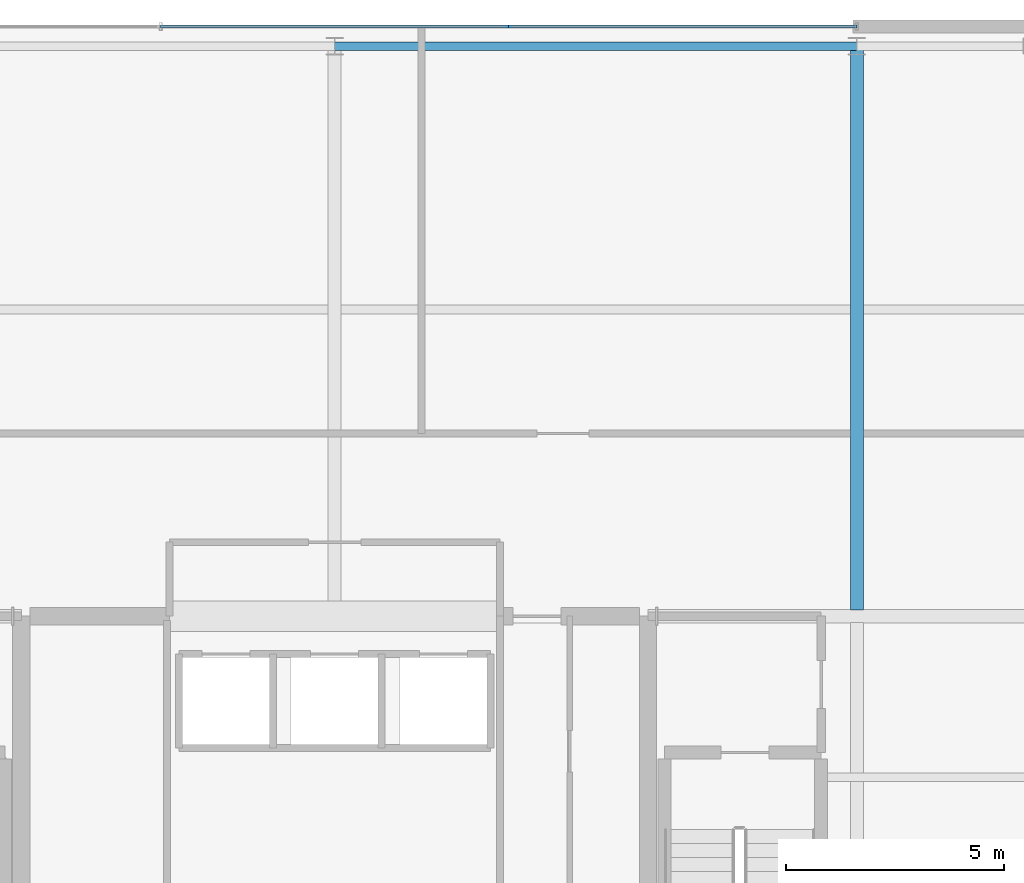
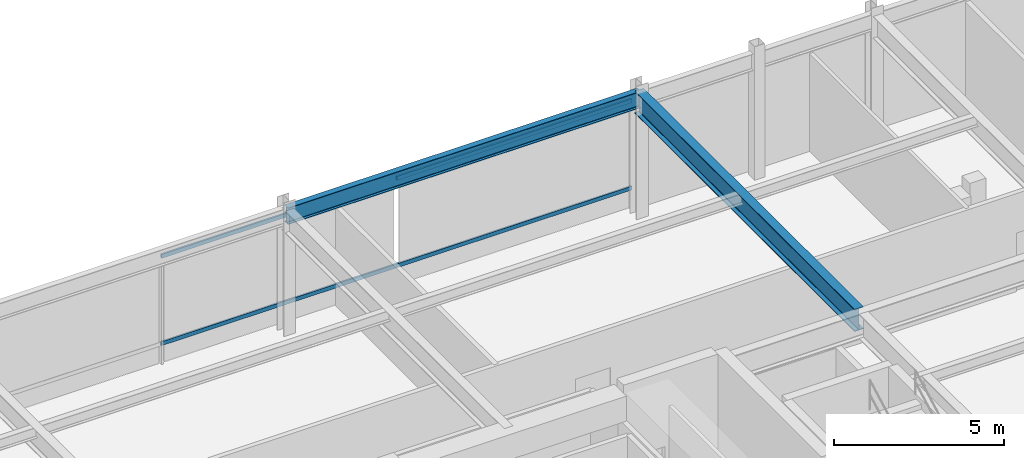
# One storey, part 15 of 26: 4 members, 2 beams, 1 element without a shape of its own.
"""IFC4 building model written with IfcOpenShell, lengths in metres."""

import ifcopenshell
import ifcopenshell.guid

model = None  # the IFC model being written
_history = None  # IfcOwnerHistory: only IFC2X3 demands one
_inside = {}  # id of a spatial element -> (the spatial element, [elements in it])
_under = {}  # id of a project, library or spatial element -> (it, [spatial elements below it])
_declared = {}  # id of a project -> (the project, [libraries it declares])
_typed = {}  # id of a type object -> (the type object, [elements of that type])
_made_of = {}  # id of a material, layer set ... -> (it, [elements and type objects made of it])


def new_model(schema):
    """Start an empty IFC model of exactly this schema.

    Asked for "IFC4X3", IfcOpenShell would pick the latest addendum, in which some entities
    have other attributes; the version numbers below select the first issue.
    IFC2X3 requires an IfcOwnerHistory on every rooted entity: one is made here for all.
    """
    global model, _history
    if schema == "IFC4X3":
        model = ifcopenshell.file(schema_version=(4, 3, 0, 0))
    else:
        model = ifcopenshell.file(schema=schema)
    _inside.clear()
    _under.clear()
    _declared.clear()
    _typed.clear()
    _made_of.clear()
    _history = None
    if model.schema == "IFC2X3":
        org = make("IfcOrganization", Name="unknown")
        user = make(
            "IfcPersonAndOrganization",
            ThePerson=make("IfcPerson", FamilyName="unknown"),
            TheOrganization=org,
        )
        app = make(
            "IfcApplication",
            ApplicationDeveloper=org,
            Version="unknown",
            ApplicationFullName="unknown",
            ApplicationIdentifier="unknown",
        )
        _history = make(
            "IfcOwnerHistory",
            OwningUser=user,
            OwningApplication=app,
            ChangeAction="ADDED",
            CreationDate=0,
        )
    return model


def make(cls, **values):
    """One entity of the class cls with the attributes given. An attribute that is None is left unset."""
    return model.create_entity(
        cls, **{name: value for name, value in values.items() if value is not None}
    )


def rooted(cls, **values):
    """An entity with a GlobalId (a new one), such as an element, a storey or a relation."""
    return make(cls, GlobalId=ifcopenshell.guid.new(), OwnerHistory=_history, **values)


def si_unit(unit_type, name, prefix=None):
    """IfcSIUnit, for example si_unit("LENGTHUNIT", "METRE", prefix="MILLI")."""
    return make("IfcSIUnit", UnitType=unit_type, Prefix=prefix, Name=name)


def assignment(units):
    """IfcUnitAssignment: the units of a project."""
    return None if units is None else make("IfcUnitAssignment", Units=units)


def point(xyz):
    """IfcCartesianPoint."""
    return None if xyz is None else make("IfcCartesianPoint", Coordinates=xyz)


def direction(xyz):
    """IfcDirection."""
    return None if xyz is None else make("IfcDirection", DirectionRatios=xyz)


def frame(location, z_axis=None, x_axis=None):
    """IfcAxis2Placement3D, a coordinate frame: its origin and axes. An axis left out is left unset."""
    return make(
        "IfcAxis2Placement3D",
        Location=point(location),
        Axis=direction(z_axis),
        RefDirection=direction(x_axis),
    )


def frame_2d(location, x_axis=None):
    """IfcAxis2Placement2D, a coordinate frame in the plane: its origin and x axis."""
    return make(
        "IfcAxis2Placement2D", Location=point(location), RefDirection=direction(x_axis)
    )


def origin():
    """The frame at (0, 0, 0) with its axes left unset."""
    return frame((0.0, 0.0, 0.0))


def origin_2d():
    """The frame at (0, 0) in the plane with its x axis left unset."""
    return frame_2d((0.0, 0.0))


def place(relative_to, where):
    """IfcLocalPlacement: puts the frame where relative to a parent placement (None: the world)."""
    return make(
        "IfcLocalPlacement", PlacementRelTo=relative_to, RelativePlacement=where
    )


def context(
    kind, dimensions, precision=None, world=None, true_north=None, identifier=None
):
    """IfcGeometricRepresentationContext, for example the 3D "Model" context."""
    return make(
        "IfcGeometricRepresentationContext",
        ContextIdentifier=identifier,
        ContextType=kind,
        CoordinateSpaceDimension=dimensions,
        Precision=precision,
        WorldCoordinateSystem=world,
        TrueNorth=true_north,
    )


def subcontext(parent, identifier, kind, view, scale=None):
    """IfcGeometricRepresentationSubContext, for example "Body" below "Model"."""
    return make(
        "IfcGeometricRepresentationSubContext",
        ContextIdentifier=identifier,
        ContextType=kind,
        ParentContext=parent,
        TargetScale=scale,
        TargetView=view,
    )


def project(units=None, contexts=None):
    """IfcProject with its units and contexts."""
    return rooted(
        "IfcProject",
        Name="project",
        RepresentationContexts=contexts,
        UnitsInContext=assignment(units),
    )


def spatial(cls, under=None, at=None, **own):
    """A site, building, storey or space (cls), placed at a placement, below another one or the project."""
    s = rooted(cls, ObjectPlacement=at, **own)
    if under is not None:
        _under.setdefault(under.id(), (under, []))[1].append(s)
    return s


def profile(cls, at=None, kind="AREA", **sizes):
    """A parametric profile (cls). Its sizes go by their IFC names, for example OverallWidth=200.0."""
    return make(cls, ProfileType=kind, Position=at, **sizes)


def hollow_rectangle(**sizes):
    """IfcRectangleHollowProfileDef."""
    return profile("IfcRectangleHollowProfileDef", **sizes)


def i_section(**sizes):
    """IfcIShapeProfileDef."""
    return profile("IfcIShapeProfileDef", **sizes)


def extrude(swept, where, along, depth):
    """IfcExtrudedAreaSolid: the profile swept, set in the frame where, extruded along a direction by depth."""
    return make(
        "IfcExtrudedAreaSolid",
        SweptArea=swept,
        Position=where,
        ExtrudedDirection=direction(along),
        Depth=depth,
    )


def shape(context_of_items, identifier, shape_type, items):
    """IfcShapeRepresentation: the items that make up one representation, for example the "Body"."""
    return make(
        "IfcShapeRepresentation",
        ContextOfItems=context_of_items,
        RepresentationIdentifier=identifier,
        RepresentationType=shape_type,
        Items=items,
    )


def material(Name=None, Category=None):
    """IfcMaterial."""
    return make("IfcMaterial", Name=Name, Category=Category)


def layer(
    of_material, thickness, ventilated=None, Name=None, Category=None, Priority=None
):
    """IfcMaterialLayer: one layer of a wall or slab, of a material (None: an air gap)."""
    return make(
        "IfcMaterialLayer",
        Material=of_material,
        LayerThickness=thickness,
        IsVentilated=ventilated,
        Name=Name,
        Category=Category,
        Priority=Priority,
    )


def layer_set(layers, Name=None):
    """IfcMaterialLayerSet."""
    return make("IfcMaterialLayerSet", MaterialLayers=layers, LayerSetName=Name)


def material_profile(
    of_material, cross_section, Name=None, Category=None, Priority=None
):
    """IfcMaterialProfile: a cross section and its material."""
    return make(
        "IfcMaterialProfile",
        Name=Name,
        Material=of_material,
        Profile=cross_section,
        Priority=Priority,
        Category=Category,
    )


def profile_set(profiles, Name=None, composite=None):
    """IfcMaterialProfileSet."""
    return make(
        "IfcMaterialProfileSet",
        Name=Name,
        MaterialProfiles=profiles,
        CompositeProfile=composite,
    )


def made_of(thing, what):
    """Note that an element or type object is made of a material, layer set ...; save() writes the relation."""
    if what is not None:
        _made_of.setdefault(what.id(), (what, []))[1].append(thing)
    return thing


def type_object(cls, material=None, **own):
    """A type object (cls), such as IfcWallType, which elements share."""
    return made_of(rooted(cls, **own), material)


def element(
    cls,
    number,
    at=None,
    inside=None,
    cuts=None,
    type_object=None,
    material=None,
    context=None,
    identifier="Body",
    shape_type=None,
    held_by="IfcProductDefinitionShape",
    body=None,
    shapes=None,
    **own,
):
    """One element of the class cls, such as IfcWall. Its Tag is "e" and its number.

    at: its placement. inside: the storey or other place that contains it. cuts: it is an
    opening in that element (IfcRelVoidsElement). A single representation is given by context,
    identifier, shape_type and body (its items); several are given by shapes. held_by: the class
    of the entity that holds the representations. save() writes the other relations.
    """
    e = rooted(cls, Tag="e%d" % number, ObjectPlacement=at, **own)
    if body is not None:
        shapes = [shape(context, identifier, shape_type, body)]
    if shapes is not None:
        e.Representation = make(held_by, Representations=shapes)
    if inside is not None:
        _inside.setdefault(inside.id(), (inside, []))[1].append(e)
    if cuts is not None:
        rooted(
            "IfcRelVoidsElement", RelatingBuildingElement=cuts, RelatedOpeningElement=e
        )
    if type_object is not None:
        _typed.setdefault(type_object.id(), (type_object, []))[1].append(e)
    return made_of(e, material)


def aggregate(whole, parts):
    """IfcRelAggregates: a whole, such as a stair, and the parts it consists of."""
    return rooted("IfcRelAggregates", RelatingObject=whole, RelatedObjects=parts)


def save(model, path):
    """Write the relations noted so far, then the file.

    IfcRelAggregates (storeys below a building ...), IfcRelContainedInSpatialStructure (elements
    in a storey), IfcRelDefinesByType, IfcRelAssociatesMaterial and IfcRelDeclares: one each for
    every whole, place, type object, material and project.
    """
    for whole, parts in _under.values():
        aggregate(whole, parts)
    for where, things in _inside.values():
        rooted(
            "IfcRelContainedInSpatialStructure",
            RelatedElements=things,
            RelatingStructure=where,
        )
    for kind, things in _typed.values():
        rooted("IfcRelDefinesByType", RelatedObjects=things, RelatingType=kind)
    for what, things in _made_of.values():
        rooted("IfcRelAssociatesMaterial", RelatedObjects=things, RelatingMaterial=what)
    for by, libraries in _declared.values():
        rooted("IfcRelDeclares", RelatingContext=by, RelatedDefinitions=libraries)
    model.write(path)


model = new_model("IFC4")

# Units and contexts
model_context = context("Model", 3, precision=1e-05, world=origin(), true_north=direction((0.0, 1.0)))
body_context = subcontext(model_context, "Body", "Model", "MODEL_VIEW")
ifc_project = project(units=[si_unit("LENGTHUNIT", "METRE"), si_unit("AREAUNIT", "SQUARE_METRE"), si_unit("VOLUMEUNIT", "CUBIC_METRE"), si_unit("PLANEANGLEUNIT", "RADIAN"), si_unit("MASSUNIT", "GRAM", prefix="KILO")], contexts=[model_context])

# Site, building, storey
site_placement = place(None, origin())
site = spatial("IfcSite", under=ifc_project, at=site_placement, CompositionType="ELEMENT")
building_placement = place(site_placement, origin())
building = spatial("IfcBuilding", under=site, at=building_placement, Name="Veldorina Hangang Commons", CompositionType="ELEMENT")
storey_placement = place(building_placement, frame((0.0, 0.0, 5.199951171875)))
storey = spatial("IfcBuildingStorey", under=building, at=storey_placement, Name="L01", CompositionType="ELEMENT", Elevation=5.199951171875)

# Beams
ifc_material_1 = material(Name="Steel SM460-TMC", Category="steel")
ifc_material_profile_1 = material_profile(ifc_material_1, i_section(OverallWidth=0.300048828125, OverallDepth=0.800048828125, WebThickness=0.013916015625, FlangeThickness=0.02587890625, FilletRadius=0.02197265625, at=origin_2d()), Name="H-800x300x14x26")
ifc_profile_set_1 = profile_set([ifc_material_profile_1], Name="Steel SM460-TMC")
beam_type_1 = type_object("IfcBeamType", Name="BM-PG800", PredefinedType="BEAM", material=ifc_profile_set_1)
beam_1_placement = place(storey_placement, frame((44.0, 31.590087890625, 4.10009765625), z_axis=(0.0, 1.0, 0.0), x_axis=(-1.0, 0.0, 0.0)))
element("IfcBeam", 1, at=beam_1_placement, inside=storey, type_object=beam_type_1, Name="L01 north primary girder G7", PredefinedType="BEAM", context=body_context, shape_type="SweptSolid", body=[
    extrude(i_section(OverallWidth=0.300048828125, OverallDepth=0.800048828125, WebThickness=0.013916015625, FlangeThickness=0.02587890625, FilletRadius=0.02197265625, at=origin_2d()), origin(), (0.0, 0.0, 1.0), 12.9599609375),
])
ifc_material_2 = material(Name="Steel SM420-TMC", Category="steel")
ifc_material_profile_2 = material_profile(ifc_material_2, i_section(OverallWidth=0.199951171875, OverallDepth=0.60009765625, WebThickness=0.010986328125, FlangeThickness=0.01708984375, FilletRadius=0.01806640625, at=origin_2d()), Name="H-600x200x11x17")
ifc_profile_set_2 = profile_set([ifc_material_profile_2], Name="Steel SM420-TMC")
beam_type_2 = type_object("IfcBeamType", Name="BM-SPN600", PredefinedType="SPANDREL", material=ifc_profile_set_2)
beam_2_placement = place(storey_placement, frame((32.0, 44.550048828125, 4.199951171875), z_axis=(1.0, 0.0, 0.0), x_axis=(0.0, 1.0, 0.0)))
element("IfcBeam", 2, at=beam_2_placement, inside=storey, type_object=beam_type_2, Name="L01 north spandrel beam 4", PredefinedType="SPANDREL", context=body_context, shape_type="SweptSolid", body=[
    extrude(i_section(OverallWidth=0.199951171875, OverallDepth=0.60009765625, WebThickness=0.010986328125, FlangeThickness=0.01708984375, FilletRadius=0.01806640625, at=origin_2d()), origin(), (0.0, 0.0, 1.0), 12.0),
])

# Curtain wall, members
ifc_material_3 = material(Name="Glass Low-E Triple IGU", Category="glass")
ifc_layer = layer(ifc_material_3, 0.179931640625)
ifc_layer_set = layer_set([ifc_layer], Name="Glass Low-E Triple IGU")
curtain_wall_type = type_object("IfcCurtainWallType", Name="CW-SYS-POD", PredefinedType="NOTDEFINED", material=ifc_layer_set)
curtain_wall_placement = place(storey_placement, origin())
curtain_wall = element("IfcCurtainWall", 3, at=curtain_wall_placement, inside=storey, type_object=curtain_wall_type, Name="L01 unitised curtain wall CW-L01-N-CTR", PredefinedType="NOTDEFINED")
ifc_material_4 = material(Name="Aluminium Anodized AA6063-T6", Category="aluminium")
ifc_material_profile_3 = material_profile(ifc_material_4, hollow_rectangle(XDim=0.06005859375, YDim=0.139892578125, WallThickness=0.00341796875, at=origin_2d()), Name="ALU-RHS-140x60x3.5")
ifc_profile_set_3 = profile_set([ifc_material_profile_3], Name="Aluminium Anodized AA6063-T6")
member_type = type_object("IfcMemberType", Name="CW-TRN-140", PredefinedType="USERDEFINED", material=ifc_profile_set_3)
member_1_placement = place(storey_placement, frame((44.0, 45.0, 0.699951171875), z_axis=(-1.0, 0.0, 0.0), x_axis=(0.0, -1.0, 0.0)))
member_1 = element("IfcMember", 4, at=member_1_placement, type_object=member_type, Name="CW-L01-N-CTR facet 1 transom 1", ObjectType="TRANSOM", PredefinedType="USERDEFINED", context=body_context, shape_type="SweptSolid", body=[
    extrude(hollow_rectangle(XDim=0.06005859375, YDim=0.139892578125, WallThickness=0.00341796875, at=origin_2d()), origin(), (0.0, 0.0, 1.0), 8.0),
])
member_2_placement = place(storey_placement, frame((44.0, 45.0, 3.840087890625), z_axis=(-1.0, 0.0, 0.0), x_axis=(0.0, -1.0, 0.0)))
member_2 = element("IfcMember", 5, at=member_2_placement, type_object=member_type, Name="CW-L01-N-CTR facet 1 transom 2", ObjectType="TRANSOM", PredefinedType="USERDEFINED", context=body_context, shape_type="SweptSolid", body=[
    extrude(hollow_rectangle(XDim=0.06005859375, YDim=0.139892578125, WallThickness=0.00341796875, at=origin_2d()), origin(), (0.0, 0.0, 1.0), 8.0),
])
member_3_placement = place(storey_placement, frame((36.0, 45.0, 0.699951171875), z_axis=(-1.0, 0.0, 0.0), x_axis=(0.0, -1.0, 0.0)))
member_3 = element("IfcMember", 6, at=member_3_placement, type_object=member_type, Name="CW-L01-N-CTR facet 2 transom 1", ObjectType="TRANSOM", PredefinedType="USERDEFINED", context=body_context, shape_type="SweptSolid", body=[
    extrude(hollow_rectangle(XDim=0.06005859375, YDim=0.139892578125, WallThickness=0.00341796875, at=origin_2d()), origin(), (0.0, 0.0, 1.0), 8.0),
])
member_4_placement = place(storey_placement, frame((36.0, 45.0, 3.840087890625), z_axis=(-1.0, 0.0, 0.0), x_axis=(0.0, -1.0, 0.0)))
member_4 = element("IfcMember", 7, at=member_4_placement, type_object=member_type, Name="CW-L01-N-CTR facet 2 transom 2", ObjectType="TRANSOM", PredefinedType="USERDEFINED", context=body_context, shape_type="SweptSolid", body=[
    extrude(hollow_rectangle(XDim=0.06005859375, YDim=0.139892578125, WallThickness=0.00341796875, at=origin_2d()), origin(), (0.0, 0.0, 1.0), 8.0),
])
aggregate(curtain_wall, [member_1, member_2, member_3, member_4])

save(model, "model.ifc")
